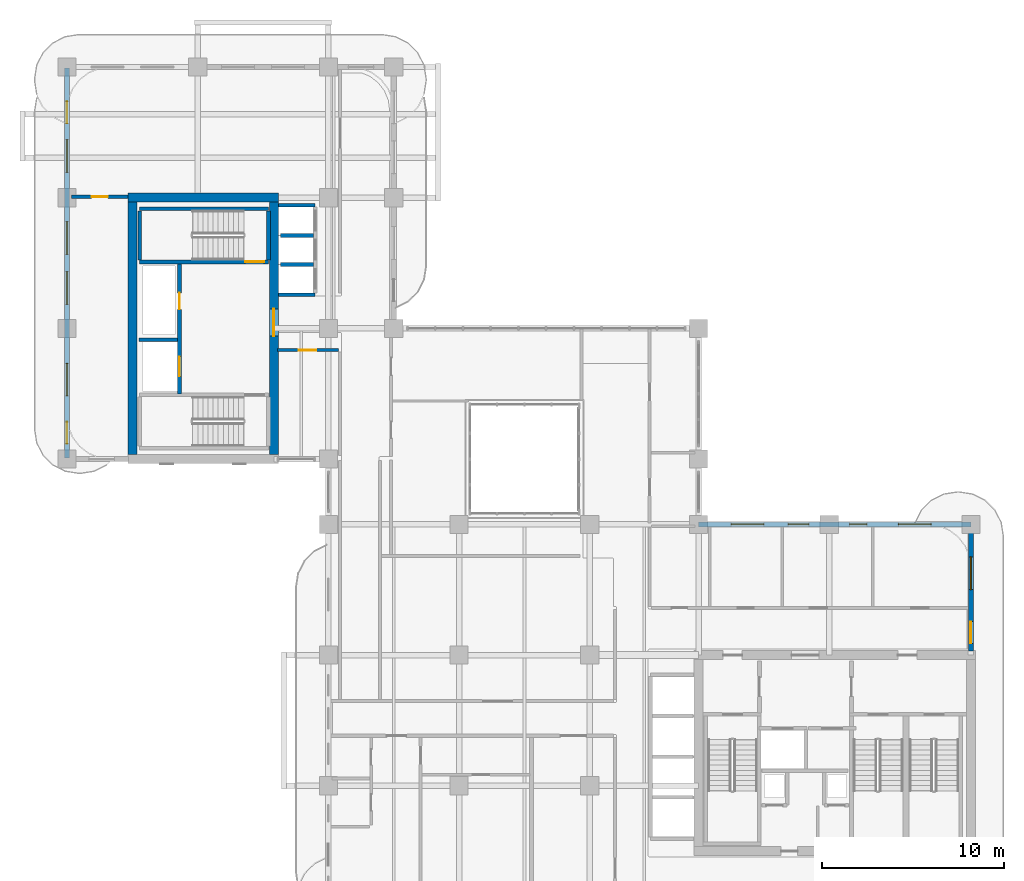
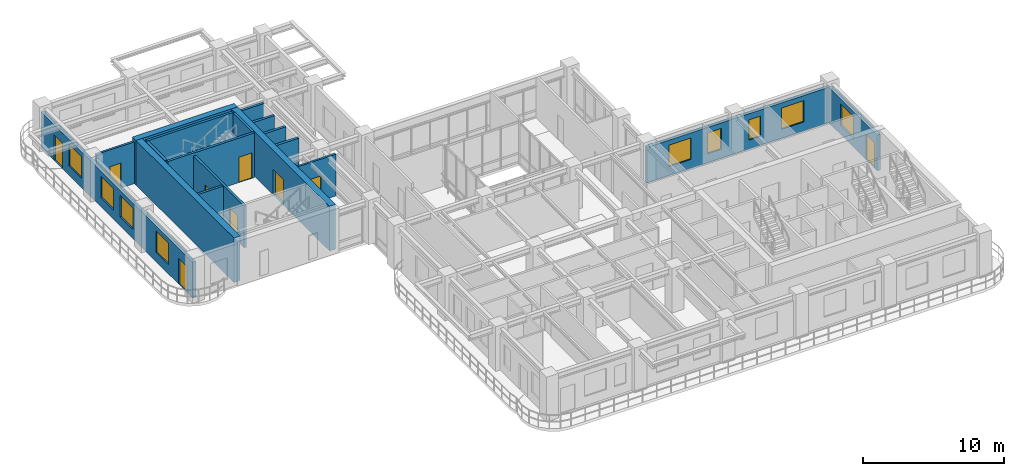
# One storey, part 14 of 19: 18 walls, 9 doors, 9 windows, 18 openings.
"""IFC4 building model written with IfcOpenShell, lengths in metres."""

import ifcopenshell
import ifcopenshell.guid

model = None  # the IFC model being written
_history = None  # IfcOwnerHistory: only IFC2X3 demands one
_inside = {}  # id of a spatial element -> (the spatial element, [elements in it])
_under = {}  # id of a project, library or spatial element -> (it, [spatial elements below it])
_declared = {}  # id of a project -> (the project, [libraries it declares])
_typed = {}  # id of a type object -> (the type object, [elements of that type])
_made_of = {}  # id of a material, layer set ... -> (it, [elements and type objects made of it])


def new_model(schema):
    """Start an empty IFC model of exactly this schema.

    Asked for "IFC4X3", IfcOpenShell would pick the latest addendum, in which some entities
    have other attributes; the version numbers below select the first issue.
    IFC2X3 requires an IfcOwnerHistory on every rooted entity: one is made here for all.
    """
    global model, _history
    if schema == "IFC4X3":
        model = ifcopenshell.file(schema_version=(4, 3, 0, 0))
    else:
        model = ifcopenshell.file(schema=schema)
    _inside.clear()
    _under.clear()
    _declared.clear()
    _typed.clear()
    _made_of.clear()
    _history = None
    if model.schema == "IFC2X3":
        org = make("IfcOrganization", Name="unknown")
        user = make(
            "IfcPersonAndOrganization",
            ThePerson=make("IfcPerson", FamilyName="unknown"),
            TheOrganization=org,
        )
        app = make(
            "IfcApplication",
            ApplicationDeveloper=org,
            Version="unknown",
            ApplicationFullName="unknown",
            ApplicationIdentifier="unknown",
        )
        _history = make(
            "IfcOwnerHistory",
            OwningUser=user,
            OwningApplication=app,
            ChangeAction="ADDED",
            CreationDate=0,
        )
    return model


def make(cls, **values):
    """One entity of the class cls with the attributes given. An attribute that is None is left unset."""
    return model.create_entity(
        cls, **{name: value for name, value in values.items() if value is not None}
    )


def rooted(cls, **values):
    """An entity with a GlobalId (a new one), such as an element, a storey or a relation."""
    return make(cls, GlobalId=ifcopenshell.guid.new(), OwnerHistory=_history, **values)


def si_unit(unit_type, name, prefix=None):
    """IfcSIUnit, for example si_unit("LENGTHUNIT", "METRE", prefix="MILLI")."""
    return make("IfcSIUnit", UnitType=unit_type, Prefix=prefix, Name=name)


def derived_unit(unit_type, elements):
    """IfcDerivedUnit: a product of units, each with its exponent."""
    return make(
        "IfcDerivedUnit",
        Elements=[
            make("IfcDerivedUnitElement", Unit=unit, Exponent=power)
            for unit, power in elements
        ],
        UnitType=unit_type,
    )


def assignment(units):
    """IfcUnitAssignment: the units of a project."""
    return None if units is None else make("IfcUnitAssignment", Units=units)


def point(xyz):
    """IfcCartesianPoint."""
    return None if xyz is None else make("IfcCartesianPoint", Coordinates=xyz)


def direction(xyz):
    """IfcDirection."""
    return None if xyz is None else make("IfcDirection", DirectionRatios=xyz)


def frame(location, z_axis=None, x_axis=None):
    """IfcAxis2Placement3D, a coordinate frame: its origin and axes. An axis left out is left unset."""
    return make(
        "IfcAxis2Placement3D",
        Location=point(location),
        Axis=direction(z_axis),
        RefDirection=direction(x_axis),
    )


def frame_2d(location, x_axis=None):
    """IfcAxis2Placement2D, a coordinate frame in the plane: its origin and x axis."""
    return make(
        "IfcAxis2Placement2D", Location=point(location), RefDirection=direction(x_axis)
    )


def origin():
    """The frame at (0, 0, 0) with its axes left unset."""
    return frame((0.0, 0.0, 0.0))


def place(relative_to, where):
    """IfcLocalPlacement: puts the frame where relative to a parent placement (None: the world)."""
    return make(
        "IfcLocalPlacement", PlacementRelTo=relative_to, RelativePlacement=where
    )


def context(
    kind, dimensions, precision=None, world=None, true_north=None, identifier=None
):
    """IfcGeometricRepresentationContext, for example the 3D "Model" context."""
    return make(
        "IfcGeometricRepresentationContext",
        ContextIdentifier=identifier,
        ContextType=kind,
        CoordinateSpaceDimension=dimensions,
        Precision=precision,
        WorldCoordinateSystem=world,
        TrueNorth=true_north,
    )


def subcontext(parent, identifier, kind, view, scale=None):
    """IfcGeometricRepresentationSubContext, for example "Body" below "Model"."""
    return make(
        "IfcGeometricRepresentationSubContext",
        ContextIdentifier=identifier,
        ContextType=kind,
        ParentContext=parent,
        TargetScale=scale,
        TargetView=view,
    )


def project(units=None, contexts=None):
    """IfcProject with its units and contexts."""
    return rooted(
        "IfcProject",
        Name="project",
        RepresentationContexts=contexts,
        UnitsInContext=assignment(units),
    )


def spatial(cls, under=None, at=None, **own):
    """A site, building, storey or space (cls), placed at a placement, below another one or the project."""
    s = rooted(cls, ObjectPlacement=at, **own)
    if under is not None:
        _under.setdefault(under.id(), (under, []))[1].append(s)
    return s


def profile(cls, at=None, kind="AREA", **sizes):
    """A parametric profile (cls). Its sizes go by their IFC names, for example OverallWidth=200.0."""
    return make(cls, ProfileType=kind, Position=at, **sizes)


def rectangle(**sizes):
    """IfcRectangleProfileDef."""
    return profile("IfcRectangleProfileDef", **sizes)


def extrude(swept, where, along, depth):
    """IfcExtrudedAreaSolid: the profile swept, set in the frame where, extruded along a direction by depth."""
    return make(
        "IfcExtrudedAreaSolid",
        SweptArea=swept,
        Position=where,
        ExtrudedDirection=direction(along),
        Depth=depth,
    )


def shape(context_of_items, identifier, shape_type, items):
    """IfcShapeRepresentation: the items that make up one representation, for example the "Body"."""
    return make(
        "IfcShapeRepresentation",
        ContextOfItems=context_of_items,
        RepresentationIdentifier=identifier,
        RepresentationType=shape_type,
        Items=items,
    )


def source(mapping_origin, context_of_items, identifier, shape_type, items):
    """IfcRepresentationMap: a shape defined once, which mapped items show again and again."""
    return make(
        "IfcRepresentationMap",
        MappingOrigin=mapping_origin,
        MappedRepresentation=shape(context_of_items, identifier, shape_type, items),
    )


def transform(
    local_origin,
    x_axis=None,
    y_axis=None,
    z_axis=None,
    scale=None,
    scale2=None,
    scale3=None,
    uniform=True,
):
    """IfcCartesianTransformationOperator3D, or its non-uniform kind. x_axis, y_axis, z_axis: its Axis1, 2, 3."""
    if uniform:
        return make(
            "IfcCartesianTransformationOperator3D",
            Axis1=direction(x_axis),
            Axis2=direction(y_axis),
            LocalOrigin=point(local_origin),
            Scale=scale,
            Axis3=direction(z_axis),
        )
    return make(
        "IfcCartesianTransformationOperator3DnonUniform",
        Axis1=direction(x_axis),
        Axis2=direction(y_axis),
        LocalOrigin=point(local_origin),
        Scale=scale,
        Axis3=direction(z_axis),
        Scale2=scale2,
        Scale3=scale3,
    )


def mapped(mapping_source, mapping_target):
    """IfcMappedItem: shows the shape of a source again, moved by a transform."""
    return make(
        "IfcMappedItem", MappingSource=mapping_source, MappingTarget=mapping_target
    )


def material(Name=None, Category=None):
    """IfcMaterial."""
    return make("IfcMaterial", Name=Name, Category=Category)


def layer(
    of_material, thickness, ventilated=None, Name=None, Category=None, Priority=None
):
    """IfcMaterialLayer: one layer of a wall or slab, of a material (None: an air gap)."""
    return make(
        "IfcMaterialLayer",
        Material=of_material,
        LayerThickness=thickness,
        IsVentilated=ventilated,
        Name=Name,
        Category=Category,
        Priority=Priority,
    )


def layer_set(layers, Name=None):
    """IfcMaterialLayerSet."""
    return make("IfcMaterialLayerSet", MaterialLayers=layers, LayerSetName=Name)


def made_of(thing, what):
    """Note that an element or type object is made of a material, layer set ...; save() writes the relation."""
    if what is not None:
        _made_of.setdefault(what.id(), (what, []))[1].append(thing)
    return thing


def type_object(cls, material=None, **own):
    """A type object (cls), such as IfcWallType, which elements share."""
    return made_of(rooted(cls, **own), material)


def type_shapes(of_type, sources):
    """Give a type object the sources (RepresentationMaps) that its elements show as mapped items."""
    of_type.RepresentationMaps = sources


def element(
    cls,
    number,
    at=None,
    inside=None,
    cuts=None,
    type_object=None,
    material=None,
    context=None,
    identifier="Body",
    shape_type=None,
    held_by="IfcProductDefinitionShape",
    body=None,
    shapes=None,
    **own,
):
    """One element of the class cls, such as IfcWall. Its Tag is "e" and its number.

    at: its placement. inside: the storey or other place that contains it. cuts: it is an
    opening in that element (IfcRelVoidsElement). A single representation is given by context,
    identifier, shape_type and body (its items); several are given by shapes. held_by: the class
    of the entity that holds the representations. save() writes the other relations.
    """
    e = rooted(cls, Tag="e%d" % number, ObjectPlacement=at, **own)
    if body is not None:
        shapes = [shape(context, identifier, shape_type, body)]
    if shapes is not None:
        e.Representation = make(held_by, Representations=shapes)
    if inside is not None:
        _inside.setdefault(inside.id(), (inside, []))[1].append(e)
    if cuts is not None:
        rooted(
            "IfcRelVoidsElement", RelatingBuildingElement=cuts, RelatedOpeningElement=e
        )
    if type_object is not None:
        _typed.setdefault(type_object.id(), (type_object, []))[1].append(e)
    return made_of(e, material)


def fill(opening, filler):
    """IfcRelFillsElement: the door or window that sits in an opening."""
    return rooted(
        "IfcRelFillsElement",
        RelatingOpeningElement=opening,
        RelatedBuildingElement=filler,
    )


def aggregate(whole, parts):
    """IfcRelAggregates: a whole, such as a stair, and the parts it consists of."""
    return rooted("IfcRelAggregates", RelatingObject=whole, RelatedObjects=parts)


def save(model, path):
    """Write the relations noted so far, then the file.

    IfcRelAggregates (storeys below a building ...), IfcRelContainedInSpatialStructure (elements
    in a storey), IfcRelDefinesByType, IfcRelAssociatesMaterial and IfcRelDeclares: one each for
    every whole, place, type object, material and project.
    """
    for whole, parts in _under.values():
        aggregate(whole, parts)
    for where, things in _inside.values():
        rooted(
            "IfcRelContainedInSpatialStructure",
            RelatedElements=things,
            RelatingStructure=where,
        )
    for kind, things in _typed.values():
        rooted("IfcRelDefinesByType", RelatedObjects=things, RelatingType=kind)
    for what, things in _made_of.values():
        rooted("IfcRelAssociatesMaterial", RelatedObjects=things, RelatingMaterial=what)
    for by, libraries in _declared.values():
        rooted("IfcRelDeclares", RelatingContext=by, RelatedDefinitions=libraries)
    model.write(path)


model = new_model("IFC4")

# Units and contexts
model_context = context("Model", 3, precision=1e-05, world=origin(), true_north=direction((0.0, 1.0)))
body_context = subcontext(model_context, "Body", "Model", "MODEL_VIEW")
ifc_project = project(units=[si_unit("LENGTHUNIT", "METRE"), si_unit("AREAUNIT", "SQUARE_METRE"), si_unit("VOLUMEUNIT", "CUBIC_METRE"), si_unit("PLANEANGLEUNIT", "RADIAN"), si_unit("MASSUNIT", "GRAM", prefix="KILO"), si_unit("THERMODYNAMICTEMPERATUREUNIT", "KELVIN"), si_unit("POWERUNIT", "WATT"), derived_unit("THERMALTRANSMITTANCEUNIT", [(si_unit("POWERUNIT", "WATT"), 1), (si_unit("AREAUNIT", "SQUARE_METRE"), -1), (si_unit("THERMODYNAMICTEMPERATUREUNIT", "KELVIN"), -1)])], contexts=[model_context])

# Site, building, storey
site_placement = place(None, origin())
site = spatial("IfcSite", under=ifc_project, at=site_placement, CompositionType="ELEMENT")
building_placement = place(site_placement, origin())
building = spatial("IfcBuilding", under=site, at=building_placement, Name="Zahravan Archway Hotel and Residences", CompositionType="ELEMENT")
storey_placement = place(building_placement, frame((0.0, 0.0, 150.300048828125)))
storey = spatial("IfcBuildingStorey", under=building, at=storey_placement, Name="L37", CompositionType="ELEMENT", Elevation=150.300048828125)

# Walls
ifc_material_1 = material(Name="Concrete C60/75", Category="concrete")
ifc_layer_1 = layer(ifc_material_1, 0.5, Name="Concrete C60/75", Category="concrete")
ifc_layer_set_1 = layer_set([ifc_layer_1], Name="Concrete C60/75")
wall_type_1 = type_object("IfcWallType", Name="CW-CORE-500", PredefinedType="SHEAR", material=ifc_layer_set_1)
wall_1_placement = place(storey_placement, frame((3.35009765625, 39.60009765625, 0.0), z_axis=(0.0, 0.0, 1.0), x_axis=(1.0, 0.0, 0.0)))
element("IfcWall", 1, at=wall_1_placement, inside=storey, type_object=wall_type_1, Name="L37 Core B Shear N Wall 500 mm", PredefinedType="SHEAR", context=body_context, shape_type="SweptSolid", body=[
    extrude(rectangle(XDim=8.2998046875, YDim=0.5, at=frame_2d((4.14990234375, 0.0))), origin(), (0.0, 0.0, 1.0), 3.849853515625),
])
wall_2_placement = place(storey_placement, frame((3.60009765625, 25.449951171875, 0.0), z_axis=(0.0, 0.0, 1.0), x_axis=(0.0, 1.0, 0.0)))
element("IfcWall", 2, at=wall_2_placement, inside=storey, type_object=wall_type_1, Name="L37 Core B Shear W Wall 500 mm", PredefinedType="SHEAR", context=body_context, shape_type="SweptSolid", body=[
    extrude(rectangle(XDim=13.900146484375, YDim=0.5, at=frame_2d((6.9501953125, 0.0))), origin(), (0.0, 0.0, 1.0), 3.849853515625),
])

# Wall, opening, door
wall_3_placement = place(storey_placement, frame((11.39990234375, 25.449951171875, 0.0), z_axis=(0.0, 0.0, 1.0), x_axis=(0.0, 1.0, 0.0)))
wall_3 = element("IfcWall", 3, at=wall_3_placement, inside=storey, type_object=wall_type_1, Name="L37 Core B Shear E Wall 500 mm", PredefinedType="SHEAR", context=body_context, shape_type="SweptSolid", body=[
    extrude(rectangle(XDim=13.900146484375, YDim=0.5, at=frame_2d((6.9501953125, 0.0))), origin(), (0.0, 0.0, 1.0), 3.849853515625),
])
opening_1_placement = place(wall_3_placement, frame((6.52001953125, 0.0, 0.0)))
opening_1 = element("IfcOpeningElement", 4, at=opening_1_placement, cuts=wall_3, Name="Opening FD-L1", PredefinedType="OPENING", context=body_context, shape_type="SweptSolid", body=[
    extrude(rectangle(XDim=1.5, YDim=2.199951171875, at=frame_2d((0.75, 1.10009765625))), frame((0.0, 0.260009765625, 0.0), z_axis=(0.0, -1.0, 0.0), x_axis=(1.0, 0.0, 0.0)), (0.0, 0.0, 1.0), 0.52001953125),
])
ifc_material_2 = material(Name="Fire-Rated Painted Steel", Category="steel")
door_type_1 = type_object("IfcDoorType", Name="FD-LOBBY-1500", OperationType="DOUBLE_DOOR_SINGLE_SWING", PredefinedType="DOOR", material=ifc_material_2)
shared_shape_1 = source(origin(), body_context, "Body", "SweptSolid", [
    extrude(rectangle(XDim=1.5, YDim=2.199951171875, at=frame_2d((0.75, 1.10009765625))), frame((0.0, 0.02490234375, 0.0), z_axis=(0.0, -1.0, 0.0), x_axis=(1.0, 0.0, 0.0)), (0.0, 0.0, 1.0), 0.050048828125),
])
type_shapes(door_type_1, [shared_shape_1])
door_1_placement = place(opening_1_placement, origin())
door_1 = element("IfcDoor", 5, at=door_1_placement, inside=storey, type_object=door_type_1, Name="L37 Core B FSAE Lobby Door", OperationType="DOUBLE_DOOR_SINGLE_SWING", OverallHeight=2.199951171875, OverallWidth=1.5, PredefinedType="DOOR", context=body_context, shape_type="MappedRepresentation", body=[
    mapped(shared_shape_1, transform((0.0, 0.0, 0.0), scale=1.0)),
])
fill(opening_1, door_1)

# Wall, openings, door, window
ifc_material_3 = material(Name="Honed Red-Ochre Sandstone & Insulated Block", Category="masonry")
ifc_layer_2 = layer(ifc_material_3, 0.280029296875, Name="Honed Red-Ochre Sandstone & Insulated Block", Category="masonry")
ifc_layer_set_2 = layer_set([ifc_layer_2], Name="Honed Red-Ochre Sandstone & Insulated Block")
wall_type_2 = type_object("IfcWallType", Name="EW-LOG-280", PredefinedType="SOLIDWALL", material=ifc_layer_set_2)
wall_4_placement = place(storey_placement, frame((49.800048828125, 14.6201171875, 0.0), z_axis=(0.0, 0.0, 1.0), x_axis=(0.0, 1.0, 0.0)))
wall_4 = element("IfcWall", 6, at=wall_4_placement, inside=storey, type_object=wall_type_2, Name="L37 Exterior Sandstone Wall WA-EN", PredefinedType="SOLIDWALL", context=body_context, shape_type="SweptSolid", body=[
    extrude(rectangle(XDim=6.929931640625, YDim=0.280029296875, at=frame_2d((3.46484375, 0.0))), origin(), (0.0, 0.0, 1.0), 3.0849609375),
])
opening_2_placement = place(wall_4_placement, frame((0.419921875, 0.0, 0.0)))
opening_2 = element("IfcOpeningElement", 7, at=opening_2_placement, cuts=wall_4, Name="Opening ED-BL1", PredefinedType="OPENING", context=body_context, shape_type="SweptSolid", body=[
    extrude(rectangle(XDim=1.199951171875, YDim=2.199951171875, at=frame_2d((0.60009765625, 1.10009765625))), frame((0.0, 0.14990234375, 0.0), z_axis=(0.0, -1.0, 0.0), x_axis=(1.0, 0.0, 0.0)), (0.0, 0.0, 1.0), 0.300048828125),
])
opening_3_placement = place(wall_4_placement, frame((3.384033203125, 0.0, 0.800048828125)))
opening_3 = element("IfcOpeningElement", 8, at=opening_3_placement, cuts=wall_4, Name="Opening W-02", PredefinedType="OPENING", context=body_context, shape_type="SweptSolid", body=[
    extrude(rectangle(XDim=1.800048828125, YDim=1.85009765625, at=frame_2d((0.89990234375, 0.925048828125))), frame((0.0, 0.14990234375, 0.0), z_axis=(0.0, -1.0, 0.0), x_axis=(1.0, 0.0, 0.0)), (0.0, 0.0, 1.0), 0.300048828125),
])
ifc_material_4 = material(Name="Bronze-Anodized Glazed Aluminium", Category="aluminium")
door_type_2 = type_object("IfcDoorType", Name="ED-BALC-1200", OperationType="SLIDING_TO_LEFT", PredefinedType="DOOR", material=ifc_material_4)
shared_shape_2 = source(origin(), body_context, "Body", "SweptSolid", [
    extrude(rectangle(XDim=1.199951171875, YDim=2.199951171875, at=frame_2d((0.60009765625, 1.10009765625))), frame((0.0, 0.02490234375, 0.0), z_axis=(0.0, -1.0, 0.0), x_axis=(1.0, 0.0, 0.0)), (0.0, 0.0, 1.0), 0.050048828125),
])
type_shapes(door_type_2, [shared_shape_2])
door_2_placement = place(opening_2_placement, origin())
door_2 = element("IfcDoor", 9, at=door_2_placement, inside=storey, type_object=door_type_2, Name="L37 Outdoor Access Sliding Door (SLB-BAL-L37-EA)", OperationType="SLIDING_TO_LEFT", OverallHeight=2.199951171875, OverallWidth=1.199951171875, PredefinedType="DOOR", context=body_context, shape_type="MappedRepresentation", body=[
    mapped(shared_shape_2, transform((0.0, 0.0, 0.0), scale=1.0)),
])
fill(opening_2, door_2)
ifc_material_5 = material(Name="Bronze-Anodized Thermal-Break Aluminium & Low-E Glass", Category="aluminium")
window_type_1 = type_object("IfcWindowType", Name="WIN-TWR-1800", PartitioningType="DOUBLE_PANEL_VERTICAL", PredefinedType="WINDOW", material=ifc_material_5)
shared_shape_3 = source(origin(), body_context, "Body", "SweptSolid", [
    extrude(rectangle(XDim=1.800048828125, YDim=1.85009765625, at=frame_2d((0.89990234375, 0.925048828125))), frame((0.0, 0.030029296875, 0.0), z_axis=(0.0, -1.0, 0.0), x_axis=(1.0, 0.0, 0.0)), (0.0, 0.0, 1.0), 0.06005859375),
])
type_shapes(window_type_1, [shared_shape_3])
window_1_placement = place(opening_3_placement, origin())
window_1 = element("IfcWindow", 10, at=window_1_placement, inside=storey, type_object=window_type_1, Name="L37 Loggia Window 10", OverallHeight=1.85009765625, OverallWidth=1.800048828125, PartitioningType="DOUBLE_PANEL_VERTICAL", PredefinedType="WINDOW", context=body_context, shape_type="MappedRepresentation", body=[
    mapped(shared_shape_3, transform((0.0, 0.0, 0.0), scale=1.0)),
])
fill(opening_3, window_1)

# Wall, openings, windows
wall_5_placement = place(storey_placement, frame((34.800048828125, 21.60009765625, 0.0), z_axis=(0.0, 0.0, 1.0), x_axis=(1.0, 0.0, 0.0)))
wall_5 = element("IfcWall", 11, at=wall_5_placement, inside=storey, type_object=wall_type_2, Name="L37 Exterior Sandstone Wall WA-NE", PredefinedType="SOLIDWALL", context=body_context, shape_type="SweptSolid", body=[
    extrude(rectangle(XDim=15.0, YDim=0.280029296875, at=frame_2d((7.5, 0.0))), origin(), (0.0, 0.0, 1.0), 3.0849609375),
])
opening_4_placement = place(wall_5_placement, frame((1.7958984375, 0.0, 0.800048828125)))
opening_4 = element("IfcOpeningElement", 12, at=opening_4_placement, cuts=wall_5, Name="Opening W-02", PredefinedType="OPENING", context=body_context, shape_type="SweptSolid", body=[
    extrude(rectangle(XDim=1.800048828125, YDim=1.85009765625, at=frame_2d((0.89990234375, 0.925048828125))), frame((0.0, 0.14990234375, 0.0), z_axis=(0.0, -1.0, 0.0), x_axis=(1.0, 0.0, 0.0)), (0.0, 0.0, 1.0), 0.300048828125),
])
opening_5_placement = place(wall_5_placement, frame((4.928955078125, 0.0, 0.800048828125)))
opening_5 = element("IfcOpeningElement", 13, at=opening_5_placement, cuts=wall_5, Name="Opening W-05", PredefinedType="OPENING", context=body_context, shape_type="SweptSolid", body=[
    extrude(rectangle(XDim=1.14990234375, YDim=1.800048828125, at=frame_2d((0.574951171875, 0.89990234375))), frame((0.0, 0.14990234375, 0.0), z_axis=(0.0, -1.0, 0.0), x_axis=(1.0, 0.0, 0.0)), (0.0, 0.0, 1.0), 0.300048828125),
])
opening_6_placement = place(wall_5_placement, frame((8.321044921875, 0.0, 0.800048828125)))
opening_6 = element("IfcOpeningElement", 14, at=opening_6_placement, cuts=wall_5, Name="Opening W-04", PredefinedType="OPENING", context=body_context, shape_type="SweptSolid", body=[
    extrude(rectangle(XDim=0.949951171875, YDim=1.75, at=frame_2d((0.47509765625, 0.875))), frame((0.0, 0.14990234375, 0.0), z_axis=(0.0, -1.0, 0.0), x_axis=(1.0, 0.0, 0.0)), (0.0, 0.0, 1.0), 0.300048828125),
])
opening_7_placement = place(wall_5_placement, frame((11.00390625, 0.0, 0.800048828125)))
opening_7 = element("IfcOpeningElement", 15, at=opening_7_placement, cuts=wall_5, Name="Opening W-02", PredefinedType="OPENING", context=body_context, shape_type="SweptSolid", body=[
    extrude(rectangle(XDim=1.800048828125, YDim=1.85009765625, at=frame_2d((0.89990234375, 0.925048828125))), frame((0.0, 0.14990234375, 0.0), z_axis=(0.0, -1.0, 0.0), x_axis=(1.0, 0.0, 0.0)), (0.0, 0.0, 1.0), 0.300048828125),
])
window_type_2 = type_object("IfcWindowType", Name="WIN-NAR-950", PartitioningType="SINGLE_PANEL", PredefinedType="WINDOW", material=ifc_material_5)
shared_shape_4 = source(origin(), body_context, "Body", "SweptSolid", [
    extrude(rectangle(XDim=0.949951171875, YDim=1.75, at=frame_2d((0.47509765625, 0.875))), frame((0.0, 0.030029296875, 0.0), z_axis=(0.0, -1.0, 0.0), x_axis=(1.0, 0.0, 0.0)), (0.0, 0.0, 1.0), 0.06005859375),
])
type_shapes(window_type_2, [shared_shape_4])
window_2_placement = place(opening_6_placement, origin())
window_2 = element("IfcWindow", 16, at=window_2_placement, inside=storey, type_object=window_type_2, Name="L37 Loggia Window 13", OverallHeight=1.75, OverallWidth=0.949951171875, PartitioningType="SINGLE_PANEL", PredefinedType="WINDOW", context=body_context, shape_type="MappedRepresentation", body=[
    mapped(shared_shape_4, transform((0.0, 0.0, 0.0), scale=1.0)),
])
fill(opening_6, window_2)
window_3_placement = place(opening_4_placement, origin())
window_3 = element("IfcWindow", 17, at=window_3_placement, inside=storey, type_object=window_type_1, Name="L37 Loggia Window 11", OverallHeight=1.85009765625, OverallWidth=1.800048828125, PartitioningType="DOUBLE_PANEL_VERTICAL", PredefinedType="WINDOW", context=body_context, shape_type="MappedRepresentation", body=[
    mapped(shared_shape_3, transform((0.0, 0.0, 0.0), scale=1.0)),
])
fill(opening_4, window_3)
window_4_placement = place(opening_7_placement, origin())
window_4 = element("IfcWindow", 18, at=window_4_placement, inside=storey, type_object=window_type_1, Name="L37 Loggia Window 14", OverallHeight=1.85009765625, OverallWidth=1.800048828125, PartitioningType="DOUBLE_PANEL_VERTICAL", PredefinedType="WINDOW", context=body_context, shape_type="MappedRepresentation", body=[
    mapped(shared_shape_3, transform((0.0, 0.0, 0.0), scale=1.0)),
])
fill(opening_7, window_4)
window_type_3 = type_object("IfcWindowType", Name="WIN-TWR-1150", PartitioningType="SINGLE_PANEL", PredefinedType="WINDOW", material=ifc_material_5)
shared_shape_5 = source(origin(), body_context, "Body", "SweptSolid", [
    extrude(rectangle(XDim=1.14990234375, YDim=1.800048828125, at=frame_2d((0.574951171875, 0.89990234375))), frame((0.0, 0.030029296875, 0.0), z_axis=(0.0, -1.0, 0.0), x_axis=(1.0, 0.0, 0.0)), (0.0, 0.0, 1.0), 0.06005859375),
])
type_shapes(window_type_3, [shared_shape_5])
window_5_placement = place(opening_5_placement, origin())
window_5 = element("IfcWindow", 19, at=window_5_placement, inside=storey, type_object=window_type_3, Name="L37 Loggia Window 12", OverallHeight=1.800048828125, OverallWidth=1.14990234375, PartitioningType="SINGLE_PANEL", PredefinedType="WINDOW", context=body_context, shape_type="MappedRepresentation", body=[
    mapped(shared_shape_5, transform((0.0, 0.0, 0.0), scale=1.0)),
])
fill(opening_5, window_5)

# Wall, openings, doors, windows
wall_6_placement = place(storey_placement, frame((0.0, 25.25, 0.0), z_axis=(0.0, 0.0, 1.0), x_axis=(0.0, 1.0, 0.0)))
wall_6 = element("IfcWall", 20, at=wall_6_placement, inside=storey, type_object=wall_type_2, Name="L37 Exterior Sandstone Wall WB-W", PredefinedType="SOLIDWALL", context=body_context, shape_type="SweptSolid", body=[
    extrude(rectangle(XDim=21.5, YDim=0.280029296875, at=frame_2d((10.75, 0.0))), origin(), (0.0, 0.0, 1.0), 3.0849609375),
])
opening_8_placement = place(wall_6_placement, frame((18.449951171875, 0.0, 0.0)))
opening_8 = element("IfcOpeningElement", 21, at=opening_8_placement, cuts=wall_6, Name="Opening ED-BL1", PredefinedType="OPENING", context=body_context, shape_type="SweptSolid", body=[
    extrude(rectangle(XDim=1.199951171875, YDim=2.199951171875, at=frame_2d((0.60009765625, 1.10009765625))), frame((0.0, 0.14990234375, 0.0), z_axis=(0.0, -1.0, 0.0), x_axis=(1.0, 0.0, 0.0)), (0.0, 0.0, 1.0), 0.300048828125),
])
opening_9_placement = place(wall_6_placement, frame((0.800048828125, 0.0, 0.0)))
opening_9 = element("IfcOpeningElement", 22, at=opening_9_placement, cuts=wall_6, Name="Opening ED-BL1", PredefinedType="OPENING", context=body_context, shape_type="SweptSolid", body=[
    extrude(rectangle(XDim=1.199951171875, YDim=2.199951171875, at=frame_2d((0.60009765625, 1.10009765625))), frame((0.0, 0.14990234375, 0.0), z_axis=(0.0, -1.0, 0.0), x_axis=(1.0, 0.0, 0.0)), (0.0, 0.0, 1.0), 0.300048828125),
])
opening_10_placement = place(wall_6_placement, frame((3.425048828125, 0.0, 0.800048828125)))
opening_10 = element("IfcOpeningElement", 23, at=opening_10_placement, cuts=wall_6, Name="Opening W-02", PredefinedType="OPENING", context=body_context, shape_type="SweptSolid", body=[
    extrude(rectangle(XDim=1.800048828125, YDim=1.85009765625, at=frame_2d((0.89990234375, 0.925048828125))), frame((0.0, 0.14990234375, 0.0), z_axis=(0.0, -1.0, 0.0), x_axis=(1.0, 0.0, 0.0)), (0.0, 0.0, 1.0), 0.300048828125),
])
opening_11_placement = place(wall_6_placement, frame((8.47509765625, 0.0, 0.800048828125)))
opening_11 = element("IfcOpeningElement", 24, at=opening_11_placement, cuts=wall_6, Name="Opening W-02", PredefinedType="OPENING", context=body_context, shape_type="SweptSolid", body=[
    extrude(rectangle(XDim=1.800048828125, YDim=1.85009765625, at=frame_2d((0.89990234375, 0.925048828125))), frame((0.0, 0.14990234375, 0.0), z_axis=(0.0, -1.0, 0.0), x_axis=(1.0, 0.0, 0.0)), (0.0, 0.0, 1.0), 0.300048828125),
])
opening_12_placement = place(wall_6_placement, frame((11.22509765625, 0.0, 0.800048828125)))
opening_12 = element("IfcOpeningElement", 25, at=opening_12_placement, cuts=wall_6, Name="Opening W-02", PredefinedType="OPENING", context=body_context, shape_type="SweptSolid", body=[
    extrude(rectangle(XDim=1.800048828125, YDim=1.85009765625, at=frame_2d((0.89990234375, 0.925048828125))), frame((0.0, 0.14990234375, 0.0), z_axis=(0.0, -1.0, 0.0), x_axis=(1.0, 0.0, 0.0)), (0.0, 0.0, 1.0), 0.300048828125),
])
opening_13_placement = place(wall_6_placement, frame((15.75, 0.0, 0.800048828125)))
opening_13 = element("IfcOpeningElement", 26, at=opening_13_placement, cuts=wall_6, Name="Opening W-02", PredefinedType="OPENING", context=body_context, shape_type="SweptSolid", body=[
    extrude(rectangle(XDim=1.800048828125, YDim=1.85009765625, at=frame_2d((0.89990234375, 0.925048828125))), frame((0.0, 0.14990234375, 0.0), z_axis=(0.0, -1.0, 0.0), x_axis=(1.0, 0.0, 0.0)), (0.0, 0.0, 1.0), 0.300048828125),
])
door_3_placement = place(opening_8_placement, origin())
door_3 = element("IfcDoor", 27, at=door_3_placement, inside=storey, type_object=door_type_2, Name="L37 Outdoor Access Sliding Door (SLB-BAL-L37-NB)", OperationType="SLIDING_TO_LEFT", OverallHeight=2.199951171875, OverallWidth=1.199951171875, PredefinedType="DOOR", context=body_context, shape_type="MappedRepresentation", body=[
    mapped(shared_shape_2, transform((0.0, 0.0, 0.0), scale=1.0)),
])
fill(opening_8, door_3)
door_4_placement = place(opening_9_placement, origin())
door_4 = element("IfcDoor", 28, at=door_4_placement, inside=storey, type_object=door_type_2, Name="L37 Outdoor Access Sliding Door (SLB-BAL-L37-WB)", OperationType="SLIDING_TO_LEFT", OverallHeight=2.199951171875, OverallWidth=1.199951171875, PredefinedType="DOOR", context=body_context, shape_type="MappedRepresentation", body=[
    mapped(shared_shape_2, transform((0.0, 0.0, 0.0), scale=1.0)),
])
fill(opening_9, door_4)
window_6_placement = place(opening_10_placement, origin())
window_6 = element("IfcWindow", 29, at=window_6_placement, inside=storey, type_object=window_type_1, Name="L37 Loggia Window 22", OverallHeight=1.85009765625, OverallWidth=1.800048828125, PartitioningType="DOUBLE_PANEL_VERTICAL", PredefinedType="WINDOW", context=body_context, shape_type="MappedRepresentation", body=[
    mapped(shared_shape_3, transform((0.0, 0.0, 0.0), scale=1.0)),
])
fill(opening_10, window_6)
window_7_placement = place(opening_11_placement, origin())
window_7 = element("IfcWindow", 30, at=window_7_placement, inside=storey, type_object=window_type_1, Name="L37 Loggia Window 23", OverallHeight=1.85009765625, OverallWidth=1.800048828125, PartitioningType="DOUBLE_PANEL_VERTICAL", PredefinedType="WINDOW", context=body_context, shape_type="MappedRepresentation", body=[
    mapped(shared_shape_3, transform((0.0, 0.0, 0.0), scale=1.0)),
])
fill(opening_11, window_7)
window_8_placement = place(opening_12_placement, origin())
window_8 = element("IfcWindow", 31, at=window_8_placement, inside=storey, type_object=window_type_1, Name="L37 Loggia Window 24", OverallHeight=1.85009765625, OverallWidth=1.800048828125, PartitioningType="DOUBLE_PANEL_VERTICAL", PredefinedType="WINDOW", context=body_context, shape_type="MappedRepresentation", body=[
    mapped(shared_shape_3, transform((0.0, 0.0, 0.0), scale=1.0)),
])
fill(opening_12, window_8)
window_9_placement = place(opening_13_placement, origin())
window_9 = element("IfcWindow", 32, at=window_9_placement, inside=storey, type_object=window_type_1, Name="L37 Loggia Window 25", OverallHeight=1.85009765625, OverallWidth=1.800048828125, PartitioningType="DOUBLE_PANEL_VERTICAL", PredefinedType="WINDOW", context=body_context, shape_type="MappedRepresentation", body=[
    mapped(shared_shape_3, transform((0.0, 0.0, 0.0), scale=1.0)),
])
fill(opening_13, window_9)

# Wall, openings, doors
ifc_material_6 = material(Name="Fire-Rated Gypsum & Concrete Block", Category="concrete")
ifc_layer_3 = layer(ifc_material_6, 0.199951171875, Name="Fire-Rated Gypsum & Concrete Block", Category="concrete")
ifc_layer_set_3 = layer_set([ifc_layer_3], Name="Fire-Rated Gypsum & Concrete Block")
wall_type_3 = type_object("IfcWallType", Name="PW-SHAFT-200", PredefinedType="PARTITIONING", material=ifc_layer_set_3)
wall_7_placement = place(storey_placement, frame((6.199951171875, 28.7900390625, 0.0), z_axis=(0.0, 0.0, 1.0), x_axis=(0.0, 1.0, 0.0)))
wall_7 = element("IfcWall", 33, at=wall_7_placement, inside=storey, type_object=wall_type_3, Name="L37 Partition CB-FL3E", PredefinedType="PARTITIONING", context=body_context, shape_type="SweptSolid", body=[
    extrude(rectangle(XDim=7.219970703125, YDim=0.199951171875, at=frame_2d((3.60986328125, 0.0))), origin(), (0.0, 0.0, 1.0), 3.599853515625),
])
opening_14_placement = place(wall_7_placement, frame((4.659912109375, 0.0, 0.0)))
opening_14 = element("IfcOpeningElement", 34, at=opening_14_placement, cuts=wall_7, Name="Opening FD-R1", PredefinedType="OPENING", context=body_context, shape_type="SweptSolid", body=[
    extrude(rectangle(XDim=0.89990234375, YDim=2.10009765625, at=frame_2d((0.449951171875, 1.050048828125))), frame((0.0, 0.10986328125, 0.0), z_axis=(0.0, -1.0, 0.0), x_axis=(1.0, 0.0, 0.0)), (0.0, 0.0, 1.0), 0.219970703125),
])
opening_15_placement = place(wall_7_placement, frame((0.9599609375, 0.0, 0.0)))
opening_15 = element("IfcOpeningElement", 35, at=opening_15_placement, cuts=wall_7, Name="Opening LD", PredefinedType="OPENING", context=body_context, shape_type="SweptSolid", body=[
    extrude(rectangle(XDim=1.10009765625, YDim=2.199951171875, at=frame_2d((0.550048828125, 1.10009765625))), frame((0.0, 0.10986328125, 0.0), z_axis=(0.0, -1.0, 0.0), x_axis=(1.0, 0.0, 0.0)), (0.0, 0.0, 1.0), 0.219970703125),
])
door_type_3 = type_object("IfcDoorType", Name="FD-RISER-900", OperationType="NOTDEFINED", PredefinedType="DOOR", material=ifc_material_2)
shared_shape_6 = source(origin(), body_context, "Body", "SweptSolid", [
    extrude(rectangle(XDim=0.89990234375, YDim=2.10009765625, at=frame_2d((0.449951171875, 1.050048828125))), frame((0.0, 0.02490234375, 0.0), z_axis=(0.0, -1.0, 0.0), x_axis=(1.0, 0.0, 0.0)), (0.0, 0.0, 1.0), 0.050048828125),
])
type_shapes(door_type_3, [shared_shape_6])
door_5_placement = place(opening_14_placement, origin())
door_5 = element("IfcDoor", 36, at=door_5_placement, inside=storey, type_object=door_type_3, Name="L37 Core B Riser Door", OperationType="SINGLE_SWING_RIGHT", OverallHeight=2.10009765625, OverallWidth=0.89990234375, PredefinedType="DOOR", context=body_context, shape_type="MappedRepresentation", body=[
    mapped(shared_shape_6, transform((0.0, 0.0, 0.0), scale=1.0)),
])
fill(opening_14, door_5)
ifc_material_7 = material(Name="Brushed Stainless Steel", Category="steel")
door_type_4 = type_object("IfcDoorType", Name="DR-LIFT-LD", OperationType="SLIDING_TO_LEFT", PredefinedType="DOOR", material=ifc_material_7)
shared_shape_7 = source(origin(), body_context, "Body", "SweptSolid", [
    extrude(rectangle(XDim=1.10009765625, YDim=2.199951171875, at=frame_2d((0.550048828125, 1.10009765625))), frame((0.0, 0.02490234375, 0.0), z_axis=(0.0, -1.0, 0.0), x_axis=(1.0, 0.0, 0.0)), (0.0, 0.0, 1.0), 0.050048828125),
])
type_shapes(door_type_4, [shared_shape_7])
door_6_placement = place(opening_15_placement, origin())
door_6 = element("IfcDoor", 37, at=door_6_placement, inside=storey, type_object=door_type_4, Name="L37 Lift FL-3 Sliding Landing Door", OperationType="SLIDING_TO_LEFT", OverallHeight=2.199951171875, OverallWidth=1.10009765625, PredefinedType="DOOR", context=body_context, shape_type="MappedRepresentation", body=[
    mapped(shared_shape_7, transform((0.0, 0.0, 0.0), scale=1.0)),
])
fill(opening_15, door_6)

# Walls
wall_8_placement = place(storey_placement, frame((3.9599609375, 31.780029296875, 0.0), z_axis=(0.0, 0.0, 1.0), x_axis=(1.0, 0.0, 0.0)))
element("IfcWall", 38, at=wall_8_placement, inside=storey, type_object=wall_type_3, Name="L37 Partition CB-FL3N", PredefinedType="PARTITIONING", context=body_context, shape_type="SweptSolid", body=[
    extrude(rectangle(XDim=2.130126953125, YDim=0.199951171875, at=frame_2d((1.06494140625, 0.0))), origin(), (0.0, 0.0, 1.0), 3.599853515625),
])
for number, where, z_axis, x_axis, name in (
    (39, (11.659912109375, 34.25, 0.0), (0.0, 0.0, 1.0), (1.0, 0.0, 0.0), "L37 Partition B2-S"),
    (40, (11.659912109375, 39.18994140625, 0.0), (0.0, 0.0, 1.0), (1.0, 0.0, 0.0), "L37 Partition B2-N"),
):
    element("IfcWall", number, at=place(storey_placement, frame(where, z_axis=z_axis, x_axis=x_axis)), inside=storey, type_object=wall_type_3, Name=name, PredefinedType="PARTITIONING", context=body_context, shape_type="SweptSolid", body=[
        extrude(rectangle(XDim=2.010009765625, YDim=0.199951171875, at=frame_2d((1.0048828125, 0.0))), origin(), (0.0, 0.0, 1.0), 3.599853515625),
    ])
for number, where, z_axis, x_axis, name in (
    (41, (11.760009765625, 35.919921875, 0.0), (0.0, 0.0, 1.0), (1.0, 0.0, 0.0), "L37 Partition B2-D"),
    (42, (11.760009765625, 37.52001953125, 0.0), (0.0, 0.0, 1.0), (1.0, 0.0, 0.0), "L37 Partition B2-D"),
):
    element("IfcWall", number, at=place(storey_placement, frame(where, z_axis=z_axis, x_axis=x_axis)), inside=storey, type_object=wall_type_3, Name=name, PredefinedType="PARTITIONING", context=body_context, shape_type="SweptSolid", body=[
        extrude(rectangle(XDim=1.81005859375, YDim=0.199951171875, at=frame_2d((0.905029296875, 0.0))), origin(), (0.0, 0.0, 1.0), 3.599853515625),
    ])

# Wall, opening, door
ifc_material_8 = material(Name="Acoustic Stud Partition")
ifc_layer_4 = layer(ifc_material_8, 0.169921875, Name="Acoustic Stud Partition")
ifc_layer_set_4 = layer_set([ifc_layer_4], Name="Acoustic Stud Partition")
wall_type_4 = type_object("IfcWallType", Name="PW-UNIT-170", PredefinedType="PARTITIONING", material=ifc_layer_set_4)
wall_9_placement = place(storey_placement, frame((0.239990234375, 39.64990234375, 0.0), z_axis=(0.0, 0.0, 1.0), x_axis=(1.0, 0.0, 0.0)))
wall_9 = element("IfcWall", 43, at=wall_9_placement, inside=storey, type_object=wall_type_4, Name="L37 Partition WBW-N", PredefinedType="PARTITIONING", context=body_context, shape_type="SweptSolid", body=[
    extrude(rectangle(XDim=3.1201171875, YDim=0.169921875, at=frame_2d((1.56005859375, 0.0))), origin(), (0.0, 0.0, 1.0), 3.599853515625),
])
opening_16_placement = place(wall_9_placement, frame((1.110107421875, 0.0, 0.0)))
opening_16 = element("IfcOpeningElement", 44, at=opening_16_placement, cuts=wall_9, Name="Opening D-I2", PredefinedType="OPENING", context=body_context, shape_type="SweptSolid", body=[
    extrude(rectangle(XDim=0.89990234375, YDim=2.14990234375, at=frame_2d((0.449951171875, 1.074951171875))), frame((0.0, 0.094970703125, 0.0), z_axis=(0.0, -1.0, 0.0), x_axis=(1.0, 0.0, 0.0)), (0.0, 0.0, 1.0), 0.18994140625),
])
ifc_material_9 = material(Name="Hardwood Veneer Timber", Category="wood")
door_type_5 = type_object("IfcDoorType", Name="ID-INT-900", OperationType="NOTDEFINED", PredefinedType="DOOR", material=ifc_material_9)
shared_shape_8 = source(origin(), body_context, "Body", "SweptSolid", [
    extrude(rectangle(XDim=0.89990234375, YDim=2.14990234375, at=frame_2d((0.449951171875, 1.074951171875))), frame((0.0, 0.02490234375, 0.0), z_axis=(0.0, -1.0, 0.0), x_axis=(1.0, 0.0, 0.0)), (0.0, 0.0, 1.0), 0.050048828125),
])
type_shapes(door_type_5, [shared_shape_8])
door_7_placement = place(opening_16_placement, origin())
door_7 = element("IfcDoor", 45, at=door_7_placement, inside=storey, type_object=door_type_5, Name="L37 West Loggia Salon Door", OperationType="SINGLE_SWING_RIGHT", OverallHeight=2.14990234375, OverallWidth=0.89990234375, PredefinedType="DOOR", context=body_context, shape_type="MappedRepresentation", body=[
    mapped(shared_shape_8, transform((0.0, 0.0, 0.0), scale=1.0)),
])
fill(opening_16, door_7)

wall_10_placement = place(storey_placement, frame((11.590087890625, 31.199951171875, 0.0), z_axis=(0.0, 0.0, 1.0), x_axis=(1.0, 0.0, 0.0)))
wall_10 = element("IfcWall", 46, at=wall_10_placement, inside=storey, type_object=wall_type_4, Name="L37 Partition FB1-N", PredefinedType="PARTITIONING", context=body_context, shape_type="SweptSolid", body=[
    extrude(rectangle(XDim=3.369873046875, YDim=0.169921875, at=frame_2d((1.68505859375, 0.0))), origin(), (0.0, 0.0, 1.0), 3.599853515625),
])
opening_17_placement = place(wall_10_placement, frame((1.18505859375, 0.0, 0.0)))
opening_17 = element("IfcOpeningElement", 47, at=opening_17_placement, cuts=wall_10, Name="Opening D-I1", PredefinedType="OPENING", context=body_context, shape_type="SweptSolid", body=[
    extrude(rectangle(XDim=0.949951171875, YDim=2.14990234375, at=frame_2d((0.47509765625, 1.074951171875))), frame((0.0, 0.094970703125, 0.0), z_axis=(0.0, -1.0, 0.0), x_axis=(1.0, 0.0, 0.0)), (0.0, 0.0, 1.0), 0.18994140625),
])
door_type_6 = type_object("IfcDoorType", Name="ID-INT-950", OperationType="NOTDEFINED", PredefinedType="DOOR", material=ifc_material_9)
shared_shape_9 = source(origin(), body_context, "Body", "SweptSolid", [
    extrude(rectangle(XDim=0.949951171875, YDim=2.14990234375, at=frame_2d((0.47509765625, 1.074951171875))), frame((0.0, 0.02490234375, 0.0), z_axis=(0.0, -1.0, 0.0), x_axis=(1.0, 0.0, 0.0)), (0.0, 0.0, 1.0), 0.050048828125),
])
type_shapes(door_type_6, [shared_shape_9])
door_8_placement = place(opening_17_placement, origin())
door_8 = element("IfcDoor", 48, at=door_8_placement, inside=storey, type_object=door_type_6, Name="L37 Freed Bank 1 Reading Salon Door", OperationType="SINGLE_SWING_LEFT", OverallHeight=2.14990234375, OverallWidth=0.949951171875, PredefinedType="DOOR", context=body_context, shape_type="MappedRepresentation", body=[
    mapped(shared_shape_9, transform((0.0, 0.0, 0.0), scale=1.0)),
])
fill(opening_17, door_8)

# Walls
ifc_material_10 = material(Name="Concrete C50/60", Category="concrete")
ifc_layer_5 = layer(ifc_material_10, 0.199951171875, Name="Concrete C50/60", Category="concrete")
ifc_layer_set_5 = layer_set([ifc_layer_5], Name="Concrete C50/60")
wall_type_5 = type_object("IfcWallType", Name="SW-STAIR-200", PredefinedType="SHEAR", material=ifc_layer_set_5)
wall_11_placement = place(storey_placement, frame((4.0, 39.0, 0.0), z_axis=(0.0, 0.0, 1.0), x_axis=(1.0, 0.0, 0.0)))
element("IfcWall", 49, at=wall_11_placement, inside=storey, type_object=wall_type_5, Name="L37 Stairwell RC Wall CB-SB2N", PredefinedType="SHEAR", context=body_context, shape_type="SweptSolid", body=[
    extrude(rectangle(XDim=7.10009765625, YDim=0.199951171875, at=frame_2d((3.550048828125, 0.0))), origin(), (0.0, 0.0, 1.0), 3.849853515625),
])
for number, where, z_axis, x_axis, name in (
    (50, (4.0, 36.179931640625, 0.0), (0.0, 0.0, 1.0), (0.0, 1.0, 0.0), "L37 Stairwell RC Wall CB-SB2W"),
    (51, (11.10009765625, 36.179931640625, 0.0), (0.0, 0.0, 1.0), (0.0, 1.0, 0.0), "L37 Stairwell RC Wall CB-SB2E"),
):
    element("IfcWall", number, at=place(storey_placement, frame(where, z_axis=z_axis, x_axis=x_axis)), inside=storey, type_object=wall_type_5, Name=name, PredefinedType="SHEAR", context=body_context, shape_type="SweptSolid", body=[
        extrude(rectangle(XDim=2.699951171875, YDim=0.199951171875, at=frame_2d((1.35009765625, 0.0))), origin(), (0.0, 0.0, 1.0), 3.849853515625),
    ])

# Wall, opening, door
wall_12_placement = place(storey_placement, frame((4.0, 36.06005859375, 0.0), z_axis=(0.0, 0.0, 1.0), x_axis=(1.0, 0.0, 0.0)))
wall_12 = element("IfcWall", 52, at=wall_12_placement, inside=storey, type_object=wall_type_5, Name="L37 Stairwell RC Wall CB-SB2S", PredefinedType="SHEAR", context=body_context, shape_type="SweptSolid", body=[
    extrude(rectangle(XDim=7.10009765625, YDim=0.199951171875, at=frame_2d((3.550048828125, 0.0))), origin(), (0.0, 0.0, 1.0), 3.849853515625),
])
opening_18_placement = place(wall_12_placement, frame((5.81494140625, 0.0, 0.0)))
opening_18 = element("IfcOpeningElement", 53, at=opening_18_placement, cuts=wall_12, Name="Opening FD-S1", PredefinedType="OPENING", context=body_context, shape_type="SweptSolid", body=[
    extrude(rectangle(XDim=1.050048828125, YDim=2.199951171875, at=frame_2d((0.52490234375, 1.10009765625))), frame((0.0, 0.10986328125, 0.0), z_axis=(0.0, -1.0, 0.0), x_axis=(1.0, 0.0, 0.0)), (0.0, 0.0, 1.0), 0.219970703125),
])
door_type_7 = type_object("IfcDoorType", Name="FD-STAIR-1100", OperationType="NOTDEFINED", PredefinedType="DOOR", material=ifc_material_2)
shared_shape_10 = source(origin(), body_context, "Body", "SweptSolid", [
    extrude(rectangle(XDim=1.050048828125, YDim=2.199951171875, at=frame_2d((0.52490234375, 1.10009765625))), frame((0.0, 0.02490234375, 0.0), z_axis=(0.0, -1.0, 0.0), x_axis=(1.0, 0.0, 0.0)), (0.0, 0.0, 1.0), 0.050048828125),
])
type_shapes(door_type_7, [shared_shape_10])
door_9_placement = place(opening_18_placement, origin())
door_9 = element("IfcDoor", 54, at=door_9_placement, inside=storey, type_object=door_type_7, Name="L37 Stair ST-B2 Door", OperationType="SINGLE_SWING_LEFT", OverallHeight=2.199951171875, OverallWidth=1.050048828125, PredefinedType="DOOR", context=body_context, shape_type="MappedRepresentation", body=[
    mapped(shared_shape_10, transform((0.0, 0.0, 0.0), scale=1.0)),
])
fill(opening_18, door_9)

save(model, "model.ifc")
